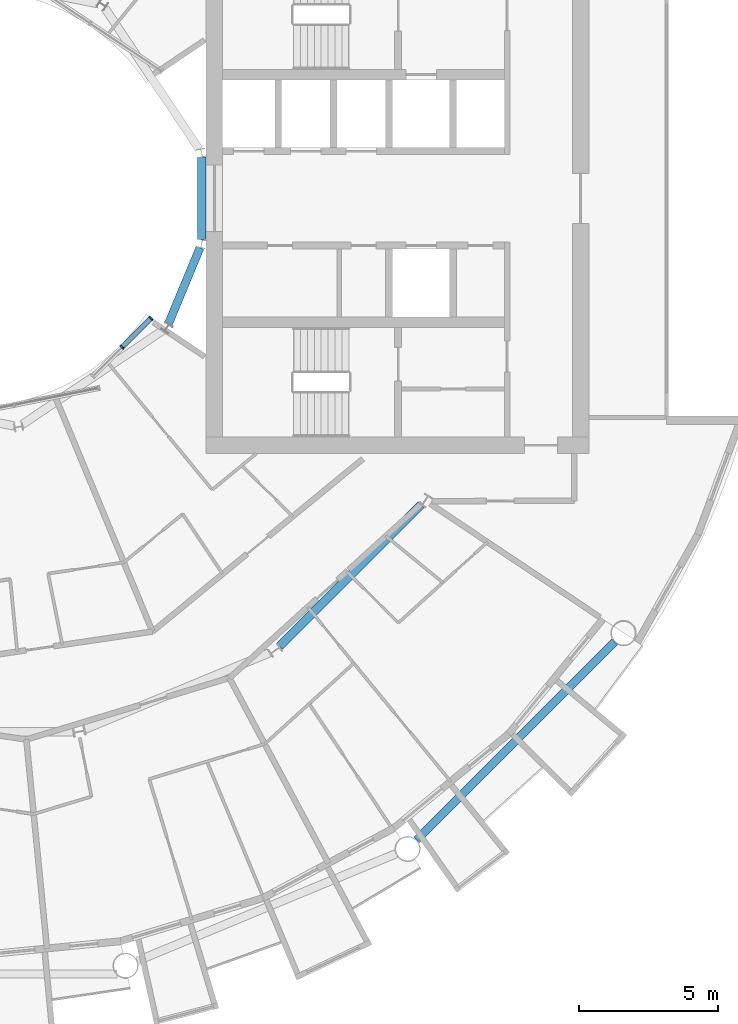
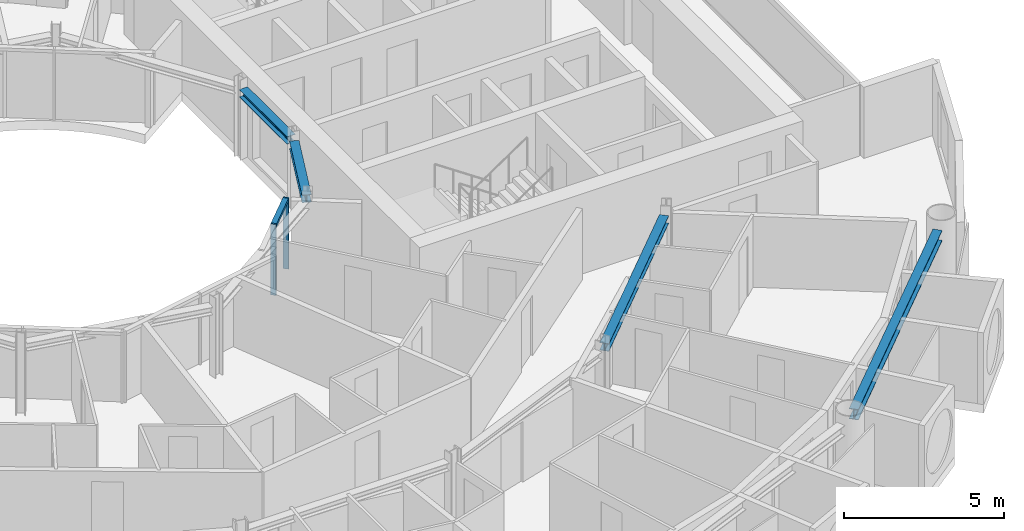
# One storey, part 7 of 28: 4 beams, 3 members, 1 element without a shape of its own.
"""IFC4 building model written with IfcOpenShell, lengths in metres."""

from ifc_helpers import new_model, si_unit, direction, frame, origin, origin_2d, place, context, subcontext, project, spatial, rectangle, i_section, extrude, material, layer, layer_set, material_profile, profile_set, type_object, element, aggregate, save


model = new_model("IFC4")

# Units and contexts
model_context = context("Model", 3, precision=1e-05, world=origin(), true_north=direction((0.0, 1.0)))
body_context = subcontext(model_context, "Body", "Model", "MODEL_VIEW")
ifc_project = project(units=[si_unit("LENGTHUNIT", "METRE"), si_unit("AREAUNIT", "SQUARE_METRE"), si_unit("VOLUMEUNIT", "CUBIC_METRE"), si_unit("PLANEANGLEUNIT", "RADIAN"), si_unit("MASSUNIT", "GRAM", prefix="KILO")], contexts=[model_context])

# Site, building, storey
site_placement = place(None, origin())
site = spatial("IfcSite", under=ifc_project, at=site_placement, CompositionType="ELEMENT")
building_placement = place(site_placement, origin())
building = spatial("IfcBuilding", under=site, at=building_placement, Name="Maasbend Ring Residences", CompositionType="ELEMENT")
storey_placement = place(building_placement, frame((0.0, 0.0, 129.949951171875)))
storey = spatial("IfcBuildingStorey", under=building, at=storey_placement, Name="L37", CompositionType="ELEMENT", Elevation=129.949951171875)

# Curtain wall, members
ifc_material_1 = material(Name="Aluminium and clear glass", Category="aluminium")
ifc_layer = layer(ifc_material_1, 0.179931640625)
ifc_layer_set = layer_set([ifc_layer], Name="CW-W")
curtain_wall_type = type_object("IfcCurtainWallType", Name="CW-W", PredefinedType="NOTDEFINED", material=ifc_layer_set)
curtain_wall_placement = place(storey_placement, origin())
curtain_wall = element("IfcCurtainWall", 1, at=curtain_wall_placement, inside=storey, type_object=curtain_wall_type, Name="Well curtain wall S3", PredefinedType="NOTDEFINED")
ifc_material_2 = material(Name="Aluminium 6063-T6", Category="aluminium")
ifc_material_profile_1 = material_profile(ifc_material_2, rectangle(XDim=0.179931640625, YDim=0.06005859375, at=origin_2d()), Name="AL 180x60")
ifc_profile_set_1 = profile_set([ifc_material_profile_1], Name="Aluminium 6063-T6")
member_type_1 = type_object("IfcMemberType", Name="CWM-W", PredefinedType="MULLION", material=ifc_profile_set_1)
member_1_placement = place(storey_placement, frame((5.366943359375, -5.366943359375, 0.0), z_axis=(0.0, 0.0, 1.0), x_axis=(-0.707106781187, 0.707106781187, 0.0)))
member_1 = element("IfcMember", 2, at=member_1_placement, type_object=member_type_1, Name="Mullion well face", PredefinedType="MULLION", context=body_context, shape_type="SweptSolid", body=[
    extrude(rectangle(XDim=0.179931640625, YDim=0.06005859375, at=origin_2d()), origin(), (0.0, 0.0, 1.0), 2.699951171875),
])
member_2_placement = place(storey_placement, frame((6.413330078125, -4.320556640625, 0.0), z_axis=(0.0, 0.0, 1.0), x_axis=(-0.707106781187, 0.707106781187, 0.0)))
member_2 = element("IfcMember", 3, at=member_2_placement, type_object=member_type_1, Name="Mullion well face", PredefinedType="MULLION", context=body_context, shape_type="SweptSolid", body=[
    extrude(rectangle(XDim=0.179931640625, YDim=0.06005859375, at=origin_2d()), origin(), (0.0, 0.0, 1.0), 2.699951171875),
])
ifc_material_3 = material(Name="Aluminium 6063-T6", Category="aluminium")
ifc_material_profile_2 = material_profile(ifc_material_3, rectangle(XDim=0.179931640625, YDim=0.1201171875, at=origin_2d()), Name="AL 180x120")
ifc_profile_set_2 = profile_set([ifc_material_profile_2], Name="Aluminium 6063-T6")
member_type_2 = type_object("IfcMemberType", Name="CWT-W", PredefinedType="USERDEFINED", material=ifc_profile_set_2)
member_3_placement = place(storey_placement, frame((5.38818359375, -5.345703125, 2.64013671875), z_axis=(0.707106781187, 0.707106781187, 0.0), x_axis=(-0.707106781187, 0.707106781187, 0.0)))
member_3 = element("IfcMember", 4, at=member_3_placement, type_object=member_type_2, Name="Transom well face", ObjectType="TRANSOM", PredefinedType="USERDEFINED", context=body_context, shape_type="SweptSolid", body=[
    extrude(rectangle(XDim=0.179931640625, YDim=0.1201171875, at=origin_2d()), origin(), (0.0, 0.0, 1.0), 1.419677734375),
])
aggregate(curtain_wall, [member_1, member_2, member_3])

# Beams
ifc_material_4 = material(Name="Steel S355J2", Category="steel")
ifc_material_profile_3 = material_profile(ifc_material_4, i_section(OverallWidth=0.300048828125, OverallDepth=0.2900390625, WebThickness=0.008544921875, FlangeThickness=0.013916015625, FilletRadius=0.027099609375, at=origin_2d()), Name="HEA 300")
ifc_profile_set_3 = profile_set([ifc_material_profile_3], Name="Steel S355J2")
beam_type_1 = type_object("IfcBeamType", Name="Corridor ring beam HEA 300", PredefinedType="BEAM", material=ifc_profile_set_3)
beam_1_placement = place(storey_placement, frame((11.044921875, -16.14111328125, 2.554931640625), z_axis=(0.707106781187, 0.707106781187, 0.0), x_axis=(-0.707106781187, 0.707106781187, 0.0)))
element("IfcBeam", 5, at=beam_1_placement, inside=storey, type_object=beam_type_1, Name="Corridor ring beam", PredefinedType="BEAM", context=body_context, shape_type="SweptSolid", body=[
    extrude(i_section(OverallWidth=0.300048828125, OverallDepth=0.2900390625, WebThickness=0.008544921875, FlangeThickness=0.013916015625, FilletRadius=0.027099609375, at=origin_2d()), origin(), (0.0, 0.0, 1.0), 7.20703125),
])
ifc_material_5 = material(Name="Steel S355J2", Category="steel")
ifc_material_profile_4 = material_profile(ifc_material_5, i_section(OverallWidth=0.300048828125, OverallDepth=0.39990234375, WebThickness=0.013427734375, FlangeThickness=0.02392578125, FilletRadius=0.027099609375, at=origin_2d()), Name="HEB 400")
ifc_profile_set_4 = profile_set([ifc_material_profile_4], Name="Steel S355J2")
beam_type_2 = type_object("IfcBeamType", Name="Spandrel ring beam HEB 400", PredefinedType="SPANDREL", material=ifc_profile_set_4)
beam_2_placement = place(storey_placement, frame((15.990234375, -23.124267578125, 2.5), z_axis=(0.707106781187, 0.707106781187, 0.0), x_axis=(-0.707106781187, 0.707106781187, 0.0)))
element("IfcBeam", 6, at=beam_2_placement, inside=storey, type_object=beam_type_2, Name="Spandrel ring beam", PredefinedType="SPANDREL", context=body_context, shape_type="SweptSolid", body=[
    extrude(i_section(OverallWidth=0.300048828125, OverallDepth=0.39990234375, WebThickness=0.013427734375, FlangeThickness=0.02392578125, FilletRadius=0.027099609375, at=origin_2d()), origin(), (0.0, 0.0, 1.0), 10.089111328125),
])
ifc_material_6 = material(Name="Steel S355J2", Category="steel")
ifc_material_profile_5 = material_profile(ifc_material_6, i_section(OverallWidth=0.300048828125, OverallDepth=0.2900390625, WebThickness=0.008544921875, FlangeThickness=0.013916015625, FilletRadius=0.027099609375, at=origin_2d()), Name="HEA 300")
ifc_profile_set_5 = profile_set([ifc_material_profile_5], Name="Steel S355J2")
beam_type_3 = type_object("IfcBeamType", Name="Well edge beam HEA 300", PredefinedType="BEAM", material=ifc_profile_set_5)
for number, where, z_axis, x_axis, name in (
    (7, (7.042724609375, -4.525390625, 2.554931640625), (0.382765370874, 0.923845588212, 0.0), (-0.923845588212, 0.382765370874, 0.0), "Well edge beam"),
    (8, (8.238525390625, -1.48583984375, 2.554931640625), (0.0, 1.0, 0.0), (-1.0, 0.0, 0.0), "Well edge beam"),
):
    element("IfcBeam", number, at=place(storey_placement, frame(where, z_axis=z_axis, x_axis=x_axis)), inside=storey, type_object=beam_type_3, Name=name, PredefinedType="BEAM", context=body_context, shape_type="SweptSolid", body=[
        extrude(i_section(OverallWidth=0.300048828125, OverallDepth=0.2900390625, WebThickness=0.008544921875, FlangeThickness=0.013916015625, FilletRadius=0.027099609375, at=origin_2d()), origin(), (0.0, 0.0, 1.0), 2.9716796875),
    ])

save(model, "model.ifc")
